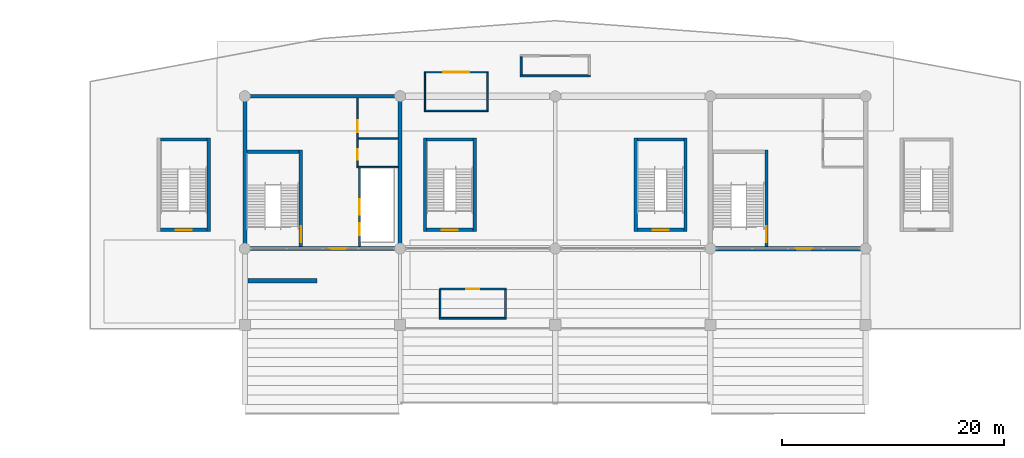
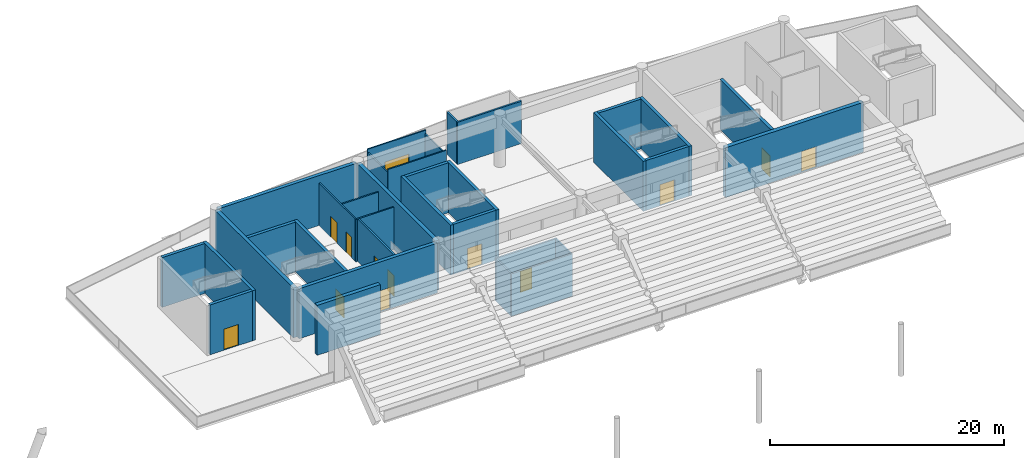
# One storey, part 96 of 117: 34 walls, 13 doors, 13 openings.
"""IFC4 building model written with IfcOpenShell, lengths in metres."""

from ifc_helpers import new_model, si_unit, direction, frame, frame_2d, origin, place, context, subcontext, project, spatial, rectangle, extrude, material, layer, layer_set, type_object, element, fill, save


model = new_model("IFC4")

# Units and contexts
model_context = context("Model", 3, precision=1e-05, world=origin(), true_north=direction((0.0, 1.0)))
body_context = subcontext(model_context, "Body", "Model", "MODEL_VIEW")
ifc_project = project(units=[si_unit("LENGTHUNIT", "METRE"), si_unit("AREAUNIT", "SQUARE_METRE"), si_unit("VOLUMEUNIT", "CUBIC_METRE"), si_unit("PLANEANGLEUNIT", "RADIAN"), si_unit("MASSUNIT", "GRAM", prefix="KILO")], contexts=[model_context])

# Site, building, storey
site_placement = place(None, origin())
site = spatial("IfcSite", under=ifc_project, at=site_placement, CompositionType="ELEMENT")
building_placement = place(site_placement, origin())
building = spatial("IfcBuilding", under=site, at=building_placement, Name="Linyun Crest Stadium", CompositionType="ELEMENT")
storey_placement = place(building_placement, frame((0.0, 0.0, 6.0)))
storey = spatial("IfcBuildingStorey", under=building, at=storey_placement, Name="L02", CompositionType="ELEMENT", Elevation=6.0)

# Walls
ifc_material_1 = material(Name="Concrete C50", Category="concrete")
ifc_layer_1 = layer(ifc_material_1, 0.35009765625)
ifc_layer_set_1 = layer_set([ifc_layer_1], Name="Concrete C50")
wall_type_1 = type_object("IfcWallType", Name="CW01", PredefinedType="SHEAR", material=ifc_layer_set_1)
for number, where, z_axis, x_axis, name in (
    (1, (-28.0, 91.675048828125, 0.0), (0.0, 0.0, 1.0), (0.0, 1.0, 0.0), "Core shear wall CW01 CORE-N1 L02.1"),
    (2, (-14.0, 91.675048828125, 0.0), (0.0, 0.0, 1.0), (0.0, 1.0, 0.0), "Core shear wall CW01 CORE-N1 L02.2"),
):
    element("IfcWall", number, at=place(storey_placement, frame(where, z_axis=z_axis, x_axis=x_axis)), inside=storey, type_object=wall_type_1, Name=name, PredefinedType="SHEAR", context=body_context, shape_type="SweptSolid", body=[
        extrude(rectangle(XDim=13.39990234375, YDim=0.35009765625, at=frame_2d((6.699951171875, 0.0))), origin(), (0.0, 0.0, 1.0), 5.199951171875),
    ])

# Wall, opening, door
wall_1_placement = place(storey_placement, frame((-27.824951171875, 91.5, 0.0), z_axis=(0.0, 0.0, 1.0), x_axis=(1.0, 0.0, 0.0)))
wall_1 = element("IfcWall", 3, at=wall_1_placement, inside=storey, type_object=wall_type_1, Name="Core shear wall CW01 CORE-N1 L02.3", PredefinedType="SHEAR", context=body_context, shape_type="SweptSolid", body=[
    extrude(rectangle(XDim=13.64990234375, YDim=0.35009765625, at=frame_2d((6.824951171875, 0.0))), origin(), (0.0, 0.0, 1.0), 5.199951171875),
])
opening_1_placement = place(wall_1_placement, frame((7.507080078125, 0.0, 0.0)))
opening_1 = element("IfcOpeningElement", 4, at=opening_1_placement, cuts=wall_1, Name="Opening D-L02-268", PredefinedType="OPENING", context=body_context, shape_type="SweptSolid", body=[
    extrude(rectangle(XDim=1.5, YDim=2.199951171875, at=frame_2d((0.75, 1.10009765625))), frame((0.0, 0.18505859375, 0.0), z_axis=(0.0, -1.0, 0.0), x_axis=(1.0, 0.0, 0.0)), (0.0, 0.0, 1.0), 0.3701171875),
])
ifc_material_2 = material(Name="Galvanized steel Class A fire door", Category="steel")
ifc_layer_2 = layer(ifc_material_2, 0.054931640625)
ifc_layer_set_2 = layer_set([ifc_layer_2], Name="Galvanized steel Class A fire door")
door_type_1 = type_object("IfcDoorType", Name="FD01", OperationType="NOTDEFINED", PredefinedType="DOOR", material=ifc_layer_set_2)
door_1_placement = place(opening_1_placement, origin())
door_1 = element("IfcDoor", 5, at=door_1_placement, inside=storey, type_object=door_type_1, Name="Door D-L02-268", OperationType="SINGLE_SWING_RIGHT", OverallHeight=2.199951171875, OverallWidth=1.5, PredefinedType="DOOR", context=body_context, shape_type="SweptSolid", body=[
    extrude(rectangle(XDim=1.5, YDim=2.199951171875, at=frame_2d((0.75, 1.10009765625))), frame((0.0, 0.02490234375, 0.0), z_axis=(0.0, -1.0, 0.0), x_axis=(1.0, 0.0, 0.0)), (0.0, 0.0, 1.0), 0.050048828125),
])
fill(opening_1, door_1)

# Wall
wall_2_placement = place(storey_placement, frame((-27.824951171875, 105.25, 0.0), z_axis=(0.0, 0.0, 1.0), x_axis=(1.0, 0.0, 0.0)))
element("IfcWall", 6, at=wall_2_placement, inside=storey, type_object=wall_type_1, Name="Core shear wall CW01 CORE-N1 L02.4", PredefinedType="SHEAR", context=body_context, shape_type="SweptSolid", body=[
    extrude(rectangle(XDim=13.64990234375, YDim=0.35009765625, at=frame_2d((6.824951171875, 0.0))), origin(), (0.0, 0.0, 1.0), 5.199951171875),
])

# Wall, opening, door
ifc_material_3 = material(Name="Concrete C50", Category="concrete")
ifc_layer_3 = layer(ifc_material_3, 0.39990234375)
ifc_layer_set_3 = layer_set([ifc_layer_3], Name="Concrete C50")
wall_type_2 = type_object("IfcWallType", Name="CW02", PredefinedType="SHEAR", material=ifc_layer_set_3)
wall_3_placement = place(storey_placement, frame((14.199951171875, 91.5, 0.0), z_axis=(0.0, 0.0, 1.0), x_axis=(1.0, 0.0, 0.0)))
wall_3 = element("IfcWall", 7, at=wall_3_placement, inside=storey, type_object=wall_type_2, Name="Core shear wall CW02 CORE-N2 L02.3", PredefinedType="SHEAR", context=body_context, shape_type="SweptSolid", body=[
    extrude(rectangle(XDim=13.60009765625, YDim=0.39990234375, at=frame_2d((6.800048828125, 0.0))), origin(), (0.0, 0.0, 1.0), 5.199951171875),
])
opening_2_placement = place(wall_3_placement, frame((7.47998046875, 0.0, 0.0)))
opening_2 = element("IfcOpeningElement", 8, at=opening_2_placement, cuts=wall_3, Name="Opening D-L02-300", PredefinedType="OPENING", context=body_context, shape_type="SweptSolid", body=[
    extrude(rectangle(XDim=1.5, YDim=2.199951171875, at=frame_2d((0.75, 1.10009765625))), frame((0.0, 0.2099609375, 0.0), z_axis=(0.0, -1.0, 0.0), x_axis=(1.0, 0.0, 0.0)), (0.0, 0.0, 1.0), 0.419921875),
])
door_2_placement = place(opening_2_placement, origin())
door_2 = element("IfcDoor", 9, at=door_2_placement, inside=storey, type_object=door_type_1, Name="Door D-L02-300", OperationType="SINGLE_SWING_RIGHT", OverallHeight=2.199951171875, OverallWidth=1.5, PredefinedType="DOOR", context=body_context, shape_type="SweptSolid", body=[
    extrude(rectangle(XDim=1.5, YDim=2.199951171875, at=frame_2d((0.75, 1.10009765625))), frame((0.0, 0.02490234375, 0.0), z_axis=(0.0, -1.0, 0.0), x_axis=(1.0, 0.0, 0.0)), (0.0, 0.0, 1.0), 0.050048828125),
])
fill(opening_2, door_2)

# Wall, openings, doors
ifc_material_4 = material(Name="Autoclaved aerated concrete block fire partition", Category="concrete")
ifc_layer_4 = layer(ifc_material_4, 0.179931640625)
ifc_layer_set_4 = layer_set([ifc_layer_4], Name="Autoclaved aerated concrete block fire partition")
wall_type_3 = type_object("IfcWallType", Name="PW12", PredefinedType="PARTITIONING", material=ifc_layer_set_4)
wall_4_placement = place(storey_placement, frame((-17.64990234375, 91.675048828125, 0.0), z_axis=(0.0, 0.0, 1.0), x_axis=(0.0, 1.0, 0.0)))
wall_4 = element("IfcWall", 10, at=wall_4_placement, inside=storey, type_object=wall_type_3, Name="Partition PW12 L02 97", PredefinedType="PARTITIONING", context=body_context, shape_type="SweptSolid", body=[
    extrude(rectangle(XDim=7.10498046875, YDim=0.179931640625, at=frame_2d((3.552490234375, 0.0))), origin(), (0.0, 0.0, 1.0), 4.419921875),
])
opening_3_placement = place(wall_4_placement, frame((1.02490234375, 0.0, 0.0)))
opening_3 = element("IfcOpeningElement", 11, at=opening_3_placement, cuts=wall_4, Name="Opening LD089", PredefinedType="OPENING", context=body_context, shape_type="SweptSolid", body=[
    extrude(rectangle(XDim=1.10009765625, YDim=2.199951171875, at=frame_2d((0.550048828125, 1.10009765625))), frame((0.0, 0.099853515625, 0.0), z_axis=(0.0, -1.0, 0.0), x_axis=(1.0, 0.0, 0.0)), (0.0, 0.0, 1.0), 0.199951171875),
])
opening_4_placement = place(wall_4_placement, frame((2.875, 0.0, 0.0)))
opening_4 = element("IfcOpeningElement", 12, at=opening_4_placement, cuts=wall_4, Name="Opening LD090", PredefinedType="OPENING", context=body_context, shape_type="SweptSolid", body=[
    extrude(rectangle(XDim=1.39990234375, YDim=2.300048828125, at=frame_2d((0.699951171875, 1.14990234375))), frame((0.0, 0.099853515625, 0.0), z_axis=(0.0, -1.0, 0.0), x_axis=(1.0, 0.0, 0.0)), (0.0, 0.0, 1.0), 0.199951171875),
])
ifc_material_5 = material(Name="Brushed stainless sliding lift door")
ifc_layer_5 = layer(ifc_material_5, 0.050048828125)
ifc_layer_set_5 = layer_set([ifc_layer_5], Name="Brushed stainless sliding lift door")
door_type_2 = type_object("IfcDoorType", Name="LD01", OperationType="NOTDEFINED", PredefinedType="DOOR", material=ifc_layer_set_5)
door_3_placement = place(opening_3_placement, origin())
door_3 = element("IfcDoor", 13, at=door_3_placement, inside=storey, type_object=door_type_2, Name="Lift landing door LD089", OperationType="DOUBLE_DOOR_SLIDING", OverallHeight=2.199951171875, OverallWidth=1.10009765625, PredefinedType="DOOR", context=body_context, shape_type="SweptSolid", body=[
    extrude(rectangle(XDim=1.10009765625, YDim=2.199951171875, at=frame_2d((0.550048828125, 1.10009765625))), frame((0.0, 0.02490234375, 0.0), z_axis=(0.0, -1.0, 0.0), x_axis=(1.0, 0.0, 0.0)), (0.0, 0.0, 1.0), 0.050048828125),
])
fill(opening_3, door_3)
ifc_material_6 = material(Name="Heavy-duty stainless sliding door")
ifc_layer_6 = layer(ifc_material_6, 0.054931640625)
ifc_layer_set_6 = layer_set([ifc_layer_6], Name="Heavy-duty stainless sliding door")
door_type_3 = type_object("IfcDoorType", Name="LD03", OperationType="NOTDEFINED", PredefinedType="DOOR", material=ifc_layer_set_6)
door_4_placement = place(opening_4_placement, origin())
door_4 = element("IfcDoor", 14, at=door_4_placement, inside=storey, type_object=door_type_3, Name="Lift landing door LD090", OperationType="DOUBLE_DOOR_SLIDING", OverallHeight=2.300048828125, OverallWidth=1.39990234375, PredefinedType="DOOR", context=body_context, shape_type="SweptSolid", body=[
    extrude(rectangle(XDim=1.39990234375, YDim=2.300048828125, at=frame_2d((0.699951171875, 1.14990234375))), frame((0.0, 0.02490234375, 0.0), z_axis=(0.0, -1.0, 0.0), x_axis=(1.0, 0.0, 0.0)), (0.0, 0.0, 1.0), 0.050048828125),
])
fill(opening_4, door_4)

ifc_material_7 = material(Name="Moisture-resistant ceramic-tiled wet-room wall")
ifc_layer_7 = layer(ifc_material_7, 0.139892578125)
ifc_layer_set_7 = layer_set([ifc_layer_7], Name="Moisture-resistant ceramic-tiled wet-room wall")
wall_type_4 = type_object("IfcWallType", Name="PW15", PredefinedType="PARTITIONING", material=ifc_layer_set_7)
wall_5_placement = place(storey_placement, frame((-17.85009765625, 98.919921875, 0.0), z_axis=(0.0, 0.0, 1.0), x_axis=(0.0, 1.0, 0.0)))
wall_5 = element("IfcWall", 15, at=wall_5_placement, inside=storey, type_object=wall_type_4, Name="Partition PW15 L02 98", PredefinedType="PARTITIONING", context=body_context, shape_type="SweptSolid", body=[
    extrude(rectangle(XDim=6.155029296875, YDim=0.139892578125, at=frame_2d((3.07763671875, 0.0))), origin(), (0.0, 0.0, 1.0), 4.419921875),
])
opening_5_placement = place(wall_5_placement, frame((0.580078125, 0.0, 0.0)))
opening_5 = element("IfcOpeningElement", 16, at=opening_5_placement, cuts=wall_5, Name="Opening D-L02-272", PredefinedType="OPENING", context=body_context, shape_type="SweptSolid", body=[
    extrude(rectangle(XDim=0.949951171875, YDim=2.14990234375, at=frame_2d((0.47509765625, 1.074951171875))), frame((0.0, 0.079833984375, 0.0), z_axis=(0.0, -1.0, 0.0), x_axis=(1.0, 0.0, 0.0)), (0.0, 0.0, 1.0), 0.159912109375),
])
opening_6_placement = place(wall_5_placement, frame((3.080078125, 0.0, 0.0)))
opening_6 = element("IfcOpeningElement", 17, at=opening_6_placement, cuts=wall_5, Name="Opening D-L02-273", PredefinedType="OPENING", context=body_context, shape_type="SweptSolid", body=[
    extrude(rectangle(XDim=1.10009765625, YDim=2.14990234375, at=frame_2d((0.550048828125, 1.074951171875))), frame((0.0, 0.079833984375, 0.0), z_axis=(0.0, -1.0, 0.0), x_axis=(1.0, 0.0, 0.0)), (0.0, 0.0, 1.0), 0.159912109375),
])
ifc_material_8 = material(Name="Moisture-resistant laminate leaf")
ifc_layer_8 = layer(ifc_material_8, 0.044921875)
ifc_layer_set_8 = layer_set([ifc_layer_8], Name="Moisture-resistant laminate leaf")
door_type_4 = type_object("IfcDoorType", Name="ID02", OperationType="NOTDEFINED", PredefinedType="DOOR", material=ifc_layer_set_8)
door_5_placement = place(opening_5_placement, origin())
door_5 = element("IfcDoor", 18, at=door_5_placement, inside=storey, type_object=door_type_4, Name="Door D-L02-272", OperationType="SINGLE_SWING_RIGHT", OverallHeight=2.14990234375, OverallWidth=0.949951171875, PredefinedType="DOOR", context=body_context, shape_type="SweptSolid", body=[
    extrude(rectangle(XDim=0.949951171875, YDim=2.14990234375, at=frame_2d((0.47509765625, 1.074951171875))), frame((0.0, 0.02490234375, 0.0), z_axis=(0.0, -1.0, 0.0), x_axis=(1.0, 0.0, 0.0)), (0.0, 0.0, 1.0), 0.050048828125),
])
fill(opening_5, door_5)
ifc_material_9 = material(Name="Moisture-resistant laminate leaf")
ifc_layer_9 = layer(ifc_material_9, 0.044921875)
ifc_layer_set_9 = layer_set([ifc_layer_9], Name="Moisture-resistant laminate leaf")
door_type_5 = type_object("IfcDoorType", Name="ID03", OperationType="NOTDEFINED", PredefinedType="DOOR", material=ifc_layer_set_9)
door_6_placement = place(opening_6_placement, origin())
door_6 = element("IfcDoor", 19, at=door_6_placement, inside=storey, type_object=door_type_5, Name="Door D-L02-273", OperationType="SINGLE_SWING_LEFT", OverallHeight=2.14990234375, OverallWidth=1.10009765625, PredefinedType="DOOR", context=body_context, shape_type="SweptSolid", body=[
    extrude(rectangle(XDim=1.10009765625, YDim=2.14990234375, at=frame_2d((0.550048828125, 1.074951171875))), frame((0.0, 0.02490234375, 0.0), z_axis=(0.0, -1.0, 0.0), x_axis=(1.0, 0.0, 0.0)), (0.0, 0.0, 1.0), 0.050048828125),
])
fill(opening_6, door_6)

# Walls
wall_6_placement = place(storey_placement, frame((-17.919921875, 98.85009765625, 0.0), z_axis=(0.0, 0.0, 1.0), x_axis=(1.0, 0.0, 0.0)))
element("IfcWall", 20, at=wall_6_placement, inside=storey, type_object=wall_type_4, Name="Enclosure partition PW15 L02 83", PredefinedType="PARTITIONING", context=body_context, shape_type="SweptSolid", body=[
    extrude(rectangle(XDim=3.744873046875, YDim=0.139892578125, at=frame_2d((1.87255859375, 0.0))), origin(), (0.0, 0.0, 1.0), 4.419921875),
])
wall_7_placement = place(storey_placement, frame((-17.780029296875, 101.449951171875, 0.0), z_axis=(0.0, 0.0, 1.0), x_axis=(1.0, 0.0, 0.0)))
element("IfcWall", 21, at=wall_7_placement, inside=storey, type_object=wall_type_4, Name="Enclosure partition PW15 L02 84", PredefinedType="PARTITIONING", context=body_context, shape_type="SweptSolid", body=[
    extrude(rectangle(XDim=3.60498046875, YDim=0.139892578125, at=frame_2d((1.802490234375, 0.0))), origin(), (0.0, 0.0, 1.0), 4.419921875),
])

# Wall, opening, door
ifc_material_10 = material(Name="Acoustic commentary booth partition")
ifc_layer_10 = layer(ifc_material_10, 0.1298828125)
ifc_layer_set_10 = layer_set([ifc_layer_10], Name="Acoustic commentary booth partition")
wall_type_5 = type_object("IfcWallType", Name="PW22", PredefinedType="PARTITIONING", material=ifc_layer_set_10)
wall_8_placement = place(storey_placement, frame((-11.81005859375, 107.4130859375, 0.0), z_axis=(0.0, 0.0, 1.0), x_axis=(1.0, 0.0, 0.0)))
wall_8 = element("IfcWall", 22, at=wall_8_placement, inside=storey, type_object=wall_type_5, Name="Partition PW22 L02 192", PredefinedType="PARTITIONING", context=body_context, shape_type="SweptSolid", body=[
    extrude(rectangle(XDim=5.760009765625, YDim=0.1298828125, at=frame_2d((2.8798828125, 0.0))), origin(), (0.0, 0.0, 1.0), 4.419921875),
])
opening_7_placement = place(wall_8_placement, frame((1.705078125, 0.0, 0.0)))
opening_7 = element("IfcOpeningElement", 23, at=opening_7_placement, cuts=wall_8, Name="Opening D-L02-455", PredefinedType="OPENING", context=body_context, shape_type="SweptSolid", body=[
    extrude(rectangle(XDim=2.35009765625, YDim=2.5, at=frame_2d((1.175048828125, 1.25))), frame((0.0, 0.074951171875, 0.0), z_axis=(0.0, -1.0, 0.0), x_axis=(1.0, 0.0, 0.0)), (0.0, 0.0, 1.0), 0.14990234375),
])
ifc_material_11 = material(Name="Wide impact-resistant double leaf")
ifc_layer_11 = layer(ifc_material_11, 0.054931640625)
ifc_layer_set_11 = layer_set([ifc_layer_11], Name="Wide impact-resistant double leaf")
door_type_6 = type_object("IfcDoorType", Name="ID14", OperationType="NOTDEFINED", PredefinedType="DOOR", material=ifc_layer_set_11)
door_7_placement = place(opening_7_placement, origin())
door_7 = element("IfcDoor", 24, at=door_7_placement, inside=storey, type_object=door_type_6, Name="Door D-L02-455", OperationType="DOUBLE_DOOR_SINGLE_SWING", OverallHeight=2.5, OverallWidth=2.35009765625, PredefinedType="DOOR", context=body_context, shape_type="SweptSolid", body=[
    extrude(rectangle(XDim=2.35009765625, YDim=2.5, at=frame_2d((1.175048828125, 1.25))), frame((0.0, 0.02490234375, 0.0), z_axis=(0.0, -1.0, 0.0), x_axis=(1.0, 0.0, 0.0)), (0.0, 0.0, 1.0), 0.050048828125),
])
fill(opening_7, door_7)

# Walls
wall_9_placement = place(storey_placement, frame((-11.81005859375, 103.93310546875, 0.0), z_axis=(0.0, 0.0, 1.0), x_axis=(1.0, 0.0, 0.0)))
element("IfcWall", 25, at=wall_9_placement, inside=storey, type_object=wall_type_5, Name="Enclosure partition PW22 L02 292", PredefinedType="PARTITIONING", context=body_context, shape_type="SweptSolid", body=[
    extrude(rectangle(XDim=5.760009765625, YDim=0.1298828125, at=frame_2d((2.8798828125, 0.0))), origin(), (0.0, 0.0, 1.0), 4.419921875),
])
for number, where, z_axis, x_axis, name in (
    (26, (-11.7451171875, 103.998046875, 0.0), (0.0, 0.0, 1.0), (0.0, 1.0, 0.0), "Enclosure partition PW22 L02 293"),
    (27, (-6.114990234375, 103.998046875, 0.0), (0.0, 0.0, 1.0), (0.0, 1.0, 0.0), "Enclosure partition PW22 L02 294"),
):
    element("IfcWall", number, at=place(storey_placement, frame(where, z_axis=z_axis, x_axis=x_axis)), inside=storey, type_object=wall_type_5, Name=name, PredefinedType="PARTITIONING", context=body_context, shape_type="SweptSolid", body=[
        extrude(rectangle(XDim=3.349853515625, YDim=0.1298828125, at=frame_2d((1.6748046875, 0.0))), origin(), (0.0, 0.0, 1.0), 4.074951171875),
    ])

# Wall, opening, door
ifc_material_12 = material(Name="Medical and doping-control hygienic partition")
ifc_layer_12 = layer(ifc_material_12, 0.155029296875)
ifc_layer_set_12 = layer_set([ifc_layer_12], Name="Medical and doping-control hygienic partition")
wall_type_6 = type_object("IfcWallType", Name="PW23", PredefinedType="PARTITIONING", material=ifc_layer_set_12)
wall_10_placement = place(storey_placement, frame((-10.4609375, 87.863037109375, 0.0), z_axis=(0.0, 0.0, 1.0), x_axis=(1.0, 0.0, 0.0)))
wall_10 = element("IfcWall", 28, at=wall_10_placement, inside=storey, type_object=wall_type_6, Name="Partition PW23 L02 193", PredefinedType="PARTITIONING", context=body_context, shape_type="SweptSolid", body=[
    extrude(rectangle(XDim=6.050048828125, YDim=0.155029296875, at=frame_2d((3.02490234375, 0.0))), origin(), (0.0, 0.0, 1.0), 4.419921875),
])
opening_8_placement = place(wall_10_placement, frame((2.449951171875, 0.0, 0.0)))
opening_8 = element("IfcOpeningElement", 29, at=opening_8_placement, cuts=wall_10, Name="Opening D-L02-456", PredefinedType="OPENING", context=body_context, shape_type="SweptSolid", body=[
    extrude(rectangle(XDim=1.14990234375, YDim=2.199951171875, at=frame_2d((0.574951171875, 1.10009765625))), frame((0.0, 0.08740234375, 0.0), z_axis=(0.0, -1.0, 0.0), x_axis=(1.0, 0.0, 0.0)), (0.0, 0.0, 1.0), 0.175048828125),
])
ifc_material_13 = material(Name="Solid timber acoustic door", Category="wood")
ifc_layer_13 = layer(ifc_material_13, 0.050048828125)
ifc_layer_set_13 = layer_set([ifc_layer_13], Name="Solid timber acoustic door")
door_type_7 = type_object("IfcDoorType", Name="ID15", OperationType="NOTDEFINED", PredefinedType="DOOR", material=ifc_layer_set_13)
door_8_placement = place(opening_8_placement, origin())
door_8 = element("IfcDoor", 30, at=door_8_placement, inside=storey, type_object=door_type_7, Name="Door D-L02-456", OperationType="SINGLE_SWING_RIGHT", OverallHeight=2.199951171875, OverallWidth=1.14990234375, PredefinedType="DOOR", context=body_context, shape_type="SweptSolid", body=[
    extrude(rectangle(XDim=1.14990234375, YDim=2.199951171875, at=frame_2d((0.574951171875, 1.10009765625))), frame((0.0, 0.02490234375, 0.0), z_axis=(0.0, -1.0, 0.0), x_axis=(1.0, 0.0, 0.0)), (0.0, 0.0, 1.0), 0.050048828125),
])
fill(opening_8, door_8)

# Walls
wall_11_placement = place(storey_placement, frame((-10.4609375, 85.222900390625, 0.0), z_axis=(0.0, 0.0, 1.0), x_axis=(1.0, 0.0, 0.0)))
element("IfcWall", 31, at=wall_11_placement, inside=storey, type_object=wall_type_6, Name="Enclosure partition PW23 L02 295", PredefinedType="PARTITIONING", context=body_context, shape_type="SweptSolid", body=[
    extrude(rectangle(XDim=6.050048828125, YDim=0.155029296875, at=frame_2d((3.02490234375, 0.0))), origin(), (0.0, 0.0, 1.0), 4.419921875),
])
for number, where, z_axis, x_axis, name in (
    (32, (-10.383056640625, 85.301025390625, 0.0), (0.0, 0.0, 1.0), (0.0, 1.0, 0.0), "Enclosure partition PW23 L02 296"),
    (33, (-4.489013671875, 85.301025390625, 0.0), (0.0, 0.0, 1.0), (0.0, 1.0, 0.0), "Enclosure partition PW23 L02 297"),
):
    element("IfcWall", number, at=place(storey_placement, frame(where, z_axis=z_axis, x_axis=x_axis)), inside=storey, type_object=wall_type_6, Name=name, PredefinedType="PARTITIONING", context=body_context, shape_type="SweptSolid", body=[
        extrude(rectangle(XDim=2.48388671875, YDim=0.155029296875, at=frame_2d((1.241943359375, 0.0))), origin(), (0.0, 0.0, 1.0), 4.419921875),
    ])
ifc_material_14 = material(Name="Concourse concession fire-rated masonry wall", Category="masonry")
ifc_layer_14 = layer(ifc_material_14, 0.175048828125)
ifc_layer_set_14 = layer_set([ifc_layer_14], Name="Concourse concession fire-rated masonry wall")
wall_type_7 = type_object("IfcWallType", Name="PW24", PredefinedType="PARTITIONING", material=ifc_layer_set_14)
wall_12_placement = place(storey_placement, frame((-3.169921875, 107.0830078125, 0.0), z_axis=(0.0, 0.0, 1.0), x_axis=(1.0, 0.0, 0.0)))
element("IfcWall", 34, at=wall_12_placement, inside=storey, type_object=wall_type_7, Name="Enclosure partition PW24 L02 298", PredefinedType="PARTITIONING", context=body_context, shape_type="SweptSolid", body=[
    extrude(rectangle(XDim=6.33984375, YDim=0.175048828125, at=frame_2d((3.169921875, 0.0))), origin(), (0.0, 0.0, 1.0), 4.419921875),
])
wall_13_placement = place(storey_placement, frame((-3.08203125, 107.1708984375, 0.0), z_axis=(0.0, 0.0, 1.0), x_axis=(0.0, 1.0, 0.0)))
element("IfcWall", 35, at=wall_13_placement, inside=storey, type_object=wall_type_7, Name="Enclosure partition PW24 L02 299", PredefinedType="PARTITIONING", context=body_context, shape_type="SweptSolid", body=[
    extrude(rectangle(XDim=1.6240234375, YDim=0.175048828125, at=frame_2d((0.81201171875, 0.0))), origin(), (0.0, 0.0, 1.0), 4.419921875),
])

# Wall, opening, door
ifc_material_15 = material(Name="Concrete C50", Category="concrete")
ifc_layer_15 = layer(ifc_material_15, 0.300048828125)
ifc_layer_set_15 = layer_set([ifc_layer_15], Name="Concrete C50")
wall_type_8 = type_object("IfcWallType", Name="SW01", PredefinedType="SHEAR", material=ifc_layer_set_15)
wall_14_placement = place(storey_placement, frame((-22.949951171875, 91.675048828125, 0.0), z_axis=(0.0, 0.0, 1.0), x_axis=(0.0, 1.0, 0.0)))
wall_14 = element("IfcWall", 36, at=wall_14_placement, inside=storey, type_object=wall_type_8, Name="Core stair east bearing wall SW01 7 L02", PredefinedType="SHEAR", context=body_context, shape_type="SweptSolid", body=[
    extrude(rectangle(XDim=8.724853515625, YDim=0.300048828125, at=frame_2d((4.3623046875, 0.0))), origin(), (0.0, 0.0, 1.0), 5.199951171875),
])
opening_9_placement = place(wall_14_placement, frame((0.39501953125, 0.0, 0.0)))
opening_9 = element("IfcOpeningElement", 37, at=opening_9_placement, cuts=wall_14, Name="Opening D-L02-269", PredefinedType="OPENING", context=body_context, shape_type="SweptSolid", body=[
    extrude(rectangle(XDim=1.449951171875, YDim=2.199951171875, at=frame_2d((0.72509765625, 1.10009765625))), frame((0.0, 0.159912109375, 0.0), z_axis=(0.0, -1.0, 0.0), x_axis=(1.0, 0.0, 0.0)), (0.0, 0.0, 1.0), 0.320068359375),
])
ifc_material_16 = material(Name="Galvanized steel Class A fire door", Category="steel")
ifc_layer_16 = layer(ifc_material_16, 0.054931640625)
ifc_layer_set_16 = layer_set([ifc_layer_16], Name="Galvanized steel Class A fire door")
door_type_8 = type_object("IfcDoorType", Name="FD02", OperationType="NOTDEFINED", PredefinedType="DOOR", material=ifc_layer_set_16)
door_9_placement = place(opening_9_placement, origin())
door_9 = element("IfcDoor", 38, at=door_9_placement, inside=storey, type_object=door_type_8, Name="Door D-L02-269", OperationType="SINGLE_SWING_LEFT", OverallHeight=2.199951171875, OverallWidth=1.449951171875, PredefinedType="DOOR", context=body_context, shape_type="SweptSolid", body=[
    extrude(rectangle(XDim=1.449951171875, YDim=2.199951171875, at=frame_2d((0.72509765625, 1.10009765625))), frame((0.0, 0.02490234375, 0.0), z_axis=(0.0, -1.0, 0.0), x_axis=(1.0, 0.0, 0.0)), (0.0, 0.0, 1.0), 0.050048828125),
])
fill(opening_9, door_9)

wall_15_placement = place(storey_placement, frame((19.050048828125, 91.699951171875, 0.0), z_axis=(0.0, 0.0, 1.0), x_axis=(0.0, 1.0, 0.0)))
wall_15 = element("IfcWall", 39, at=wall_15_placement, inside=storey, type_object=wall_type_8, Name="Core stair east bearing wall SW01 8 L02", PredefinedType="SHEAR", context=body_context, shape_type="SweptSolid", body=[
    extrude(rectangle(XDim=8.699951171875, YDim=0.300048828125, at=frame_2d((4.35009765625, 0.0))), origin(), (0.0, 0.0, 1.0), 5.199951171875),
])
opening_10_placement = place(wall_15_placement, frame((0.3701171875, 0.0, 0.0)))
opening_10 = element("IfcOpeningElement", 40, at=opening_10_placement, cuts=wall_15, Name="Opening D-L02-301", PredefinedType="OPENING", context=body_context, shape_type="SweptSolid", body=[
    extrude(rectangle(XDim=1.449951171875, YDim=2.199951171875, at=frame_2d((0.72509765625, 1.10009765625))), frame((0.0, 0.159912109375, 0.0), z_axis=(0.0, -1.0, 0.0), x_axis=(1.0, 0.0, 0.0)), (0.0, 0.0, 1.0), 0.320068359375),
])
door_10_placement = place(opening_10_placement, origin())
door_10 = element("IfcDoor", 41, at=door_10_placement, inside=storey, type_object=door_type_8, Name="Door D-L02-301", OperationType="SINGLE_SWING_LEFT", OverallHeight=2.199951171875, OverallWidth=1.449951171875, PredefinedType="DOOR", context=body_context, shape_type="SweptSolid", body=[
    extrude(rectangle(XDim=1.449951171875, YDim=2.199951171875, at=frame_2d((0.72509765625, 1.10009765625))), frame((0.0, 0.02490234375, 0.0), z_axis=(0.0, -1.0, 0.0), x_axis=(1.0, 0.0, 0.0)), (0.0, 0.0, 1.0), 0.050048828125),
])
fill(opening_10, door_10)

# Wall
wall_16_placement = place(storey_placement, frame((-27.824951171875, 100.25, 0.0), z_axis=(0.0, 0.0, 1.0), x_axis=(1.0, 0.0, 0.0)))
element("IfcWall", 42, at=wall_16_placement, inside=storey, type_object=wall_type_8, Name="Core stair bearing wall SW01 7 L02", PredefinedType="SHEAR", context=body_context, shape_type="SweptSolid", body=[
    extrude(rectangle(XDim=4.724853515625, YDim=0.300048828125, at=frame_2d((2.3623046875, 0.0))), origin(), (0.0, 0.0, 1.0), 5.199951171875),
])

# Wall, opening, door
wall_17_placement = place(storey_placement, frame((-35.60009765625, 93.199951171875, 0.0), z_axis=(0.0, 0.0, 1.0), x_axis=(1.0, 0.0, 0.0)))
wall_17 = element("IfcWall", 43, at=wall_17_placement, inside=storey, type_object=wall_type_8, Name="Stair shaft wall SW01 STR-23 L02 S", PredefinedType="SHEAR", context=body_context, shape_type="SweptSolid", body=[
    extrude(rectangle(XDim=4.2001953125, YDim=0.300048828125, at=frame_2d((2.10009765625, 0.0))), origin(), (0.0, 0.0, 1.0), 5.199951171875),
])
opening_11_placement = place(wall_17_placement, frame((1.375, 0.0, 0.0)))
opening_11 = element("IfcOpeningElement", 44, at=opening_11_placement, cuts=wall_17, Name="Opening D-L02-596", PredefinedType="OPENING", context=body_context, shape_type="SweptSolid", body=[
    extrude(rectangle(XDim=1.449951171875, YDim=2.199951171875, at=frame_2d((0.72509765625, 1.10009765625))), frame((0.0, 0.159912109375, 0.0), z_axis=(0.0, -1.0, 0.0), x_axis=(1.0, 0.0, 0.0)), (0.0, 0.0, 1.0), 0.320068359375),
])
door_11_placement = place(opening_11_placement, origin())
door_11 = element("IfcDoor", 45, at=door_11_placement, inside=storey, type_object=door_type_8, Name="Door D-L02-596", OperationType="SINGLE_SWING_RIGHT", OverallHeight=2.199951171875, OverallWidth=1.449951171875, PredefinedType="DOOR", context=body_context, shape_type="SweptSolid", body=[
    extrude(rectangle(XDim=1.449951171875, YDim=2.199951171875, at=frame_2d((0.72509765625, 1.10009765625))), frame((0.0, 0.02490234375, 0.0), z_axis=(0.0, -1.0, 0.0), x_axis=(1.0, 0.0, 0.0)), (0.0, 0.0, 1.0), 0.050048828125),
])
fill(opening_11, door_11)

# Walls
wall_18_placement = place(storey_placement, frame((-35.60009765625, 101.35009765625, 0.0), z_axis=(0.0, 0.0, 1.0), x_axis=(1.0, 0.0, 0.0)))
element("IfcWall", 46, at=wall_18_placement, inside=storey, type_object=wall_type_8, Name="Stair shaft wall SW01 STR-23 L02 N", PredefinedType="SHEAR", context=body_context, shape_type="SweptSolid", body=[
    extrude(rectangle(XDim=4.2001953125, YDim=0.300048828125, at=frame_2d((2.10009765625, 0.0))), origin(), (0.0, 0.0, 1.0), 5.199951171875),
])
wall_19_placement = place(storey_placement, frame((-31.25, 93.050048828125, 0.0), z_axis=(0.0, 0.0, 1.0), x_axis=(0.0, 1.0, 0.0)))
element("IfcWall", 47, at=wall_19_placement, inside=storey, type_object=wall_type_8, Name="Stair shaft wall SW01 STR-23 L02 E", PredefinedType="SHEAR", context=body_context, shape_type="SweptSolid", body=[
    extrude(rectangle(XDim=8.449951171875, YDim=0.300048828125, at=frame_2d((4.22509765625, 0.0))), origin(), (0.0, 0.0, 1.0), 5.199951171875),
])

# Wall, opening, door
wall_20_placement = place(storey_placement, frame((-11.60009765625, 93.199951171875, 0.0), z_axis=(0.0, 0.0, 1.0), x_axis=(1.0, 0.0, 0.0)))
wall_20 = element("IfcWall", 48, at=wall_20_placement, inside=storey, type_object=wall_type_8, Name="Stair shaft wall SW01 STR-24 L02 S", PredefinedType="SHEAR", context=body_context, shape_type="SweptSolid", body=[
    extrude(rectangle(XDim=4.2001953125, YDim=0.300048828125, at=frame_2d((2.10009765625, 0.0))), origin(), (0.0, 0.0, 1.0), 5.199951171875),
])
opening_12_placement = place(wall_20_placement, frame((1.375, 0.0, 0.0)))
opening_12 = element("IfcOpeningElement", 49, at=opening_12_placement, cuts=wall_20, Name="Opening D-L02-601", PredefinedType="OPENING", context=body_context, shape_type="SweptSolid", body=[
    extrude(rectangle(XDim=1.449951171875, YDim=2.199951171875, at=frame_2d((0.72509765625, 1.10009765625))), frame((0.0, 0.159912109375, 0.0), z_axis=(0.0, -1.0, 0.0), x_axis=(1.0, 0.0, 0.0)), (0.0, 0.0, 1.0), 0.320068359375),
])
door_12_placement = place(opening_12_placement, origin())
door_12 = element("IfcDoor", 50, at=door_12_placement, inside=storey, type_object=door_type_8, Name="Door D-L02-601", OperationType="SINGLE_SWING_LEFT", OverallHeight=2.199951171875, OverallWidth=1.449951171875, PredefinedType="DOOR", context=body_context, shape_type="SweptSolid", body=[
    extrude(rectangle(XDim=1.449951171875, YDim=2.199951171875, at=frame_2d((0.72509765625, 1.10009765625))), frame((0.0, 0.02490234375, 0.0), z_axis=(0.0, -1.0, 0.0), x_axis=(1.0, 0.0, 0.0)), (0.0, 0.0, 1.0), 0.050048828125),
])
fill(opening_12, door_12)

# Walls
wall_21_placement = place(storey_placement, frame((-11.60009765625, 101.35009765625, 0.0), z_axis=(0.0, 0.0, 1.0), x_axis=(1.0, 0.0, 0.0)))
element("IfcWall", 51, at=wall_21_placement, inside=storey, type_object=wall_type_8, Name="Stair shaft wall SW01 STR-24 L02 N", PredefinedType="SHEAR", context=body_context, shape_type="SweptSolid", body=[
    extrude(rectangle(XDim=4.2001953125, YDim=0.300048828125, at=frame_2d((2.10009765625, 0.0))), origin(), (0.0, 0.0, 1.0), 5.199951171875),
])
for number, where, z_axis, x_axis, name in (
    (52, (-11.75, 93.050048828125, 0.0), (0.0, 0.0, 1.0), (0.0, 1.0, 0.0), "Stair shaft wall SW01 STR-24 L02 W"),
    (53, (-7.25, 93.050048828125, 0.0), (0.0, 0.0, 1.0), (0.0, 1.0, 0.0), "Stair shaft wall SW01 STR-24 L02 E"),
):
    element("IfcWall", number, at=place(storey_placement, frame(where, z_axis=z_axis, x_axis=x_axis)), inside=storey, type_object=wall_type_8, Name=name, PredefinedType="SHEAR", context=body_context, shape_type="SweptSolid", body=[
        extrude(rectangle(XDim=8.449951171875, YDim=0.300048828125, at=frame_2d((4.22509765625, 0.0))), origin(), (0.0, 0.0, 1.0), 5.199951171875),
    ])

# Wall, opening, door
wall_22_placement = place(storey_placement, frame((7.39990234375, 93.199951171875, 0.0), z_axis=(0.0, 0.0, 1.0), x_axis=(1.0, 0.0, 0.0)))
wall_22 = element("IfcWall", 54, at=wall_22_placement, inside=storey, type_object=wall_type_8, Name="Stair shaft wall SW01 STR-25 L02 S", PredefinedType="SHEAR", context=body_context, shape_type="SweptSolid", body=[
    extrude(rectangle(XDim=4.2001953125, YDim=0.300048828125, at=frame_2d((2.10009765625, 0.0))), origin(), (0.0, 0.0, 1.0), 5.199951171875),
])
opening_13_placement = place(wall_22_placement, frame((1.375, 0.0, 0.0)))
opening_13 = element("IfcOpeningElement", 55, at=opening_13_placement, cuts=wall_22, Name="Opening D-L02-606", PredefinedType="OPENING", context=body_context, shape_type="SweptSolid", body=[
    extrude(rectangle(XDim=1.449951171875, YDim=2.199951171875, at=frame_2d((0.72509765625, 1.10009765625))), frame((0.0, 0.159912109375, 0.0), z_axis=(0.0, -1.0, 0.0), x_axis=(1.0, 0.0, 0.0)), (0.0, 0.0, 1.0), 0.320068359375),
])
door_13_placement = place(opening_13_placement, origin())
door_13 = element("IfcDoor", 56, at=door_13_placement, inside=storey, type_object=door_type_8, Name="Door D-L02-606", OperationType="SINGLE_SWING_RIGHT", OverallHeight=2.199951171875, OverallWidth=1.449951171875, PredefinedType="DOOR", context=body_context, shape_type="SweptSolid", body=[
    extrude(rectangle(XDim=1.449951171875, YDim=2.199951171875, at=frame_2d((0.72509765625, 1.10009765625))), frame((0.0, 0.02490234375, 0.0), z_axis=(0.0, -1.0, 0.0), x_axis=(1.0, 0.0, 0.0)), (0.0, 0.0, 1.0), 0.050048828125),
])
fill(opening_13, door_13)

# Walls
wall_23_placement = place(storey_placement, frame((7.39990234375, 101.35009765625, 0.0), z_axis=(0.0, 0.0, 1.0), x_axis=(1.0, 0.0, 0.0)))
element("IfcWall", 57, at=wall_23_placement, inside=storey, type_object=wall_type_8, Name="Stair shaft wall SW01 STR-25 L02 N", PredefinedType="SHEAR", context=body_context, shape_type="SweptSolid", body=[
    extrude(rectangle(XDim=4.2001953125, YDim=0.300048828125, at=frame_2d((2.10009765625, 0.0))), origin(), (0.0, 0.0, 1.0), 5.199951171875),
])
for number, where, z_axis, x_axis, name in (
    (58, (7.25, 93.050048828125, 0.0), (0.0, 0.0, 1.0), (0.0, 1.0, 0.0), "Stair shaft wall SW01 STR-25 L02 W"),
    (59, (11.75, 93.050048828125, 0.0), (0.0, 0.0, 1.0), (0.0, 1.0, 0.0), "Stair shaft wall SW01 STR-25 L02 E"),
):
    element("IfcWall", number, at=place(storey_placement, frame(where, z_axis=z_axis, x_axis=x_axis)), inside=storey, type_object=wall_type_8, Name=name, PredefinedType="SHEAR", context=body_context, shape_type="SweptSolid", body=[
        extrude(rectangle(XDim=8.449951171875, YDim=0.300048828125, at=frame_2d((4.22509765625, 0.0))), origin(), (0.0, 0.0, 1.0), 5.199951171875),
    ])
ifc_material_17 = material(Name="Concrete C50", Category="concrete")
ifc_layer_17 = layer(ifc_material_17, 0.3798828125)
ifc_layer_set_17 = layer_set([ifc_layer_17], Name="Concrete C50")
wall_type_9 = type_object("IfcWallType", Name="SW02", PredefinedType="SHEAR", material=ifc_layer_set_17)
wall_24_placement = place(storey_placement, frame((-27.719970703125, 88.60009765625, 0.0), z_axis=(0.0, 0.0, 1.0), x_axis=(1.0, 0.0, 0.0)))
element("IfcWall", 60, at=wall_24_placement, inside=storey, type_object=wall_type_9, Name="Shear wall SW02 L02 319", PredefinedType="SHEAR", context=body_context, shape_type="SweptSolid", body=[
    extrude(rectangle(XDim=6.219970703125, YDim=0.3798828125, at=frame_2d((3.10986328125, 0.0))), origin(), (0.0, 0.0, 1.0), 5.199951171875),
])

save(model, "model.ifc")
